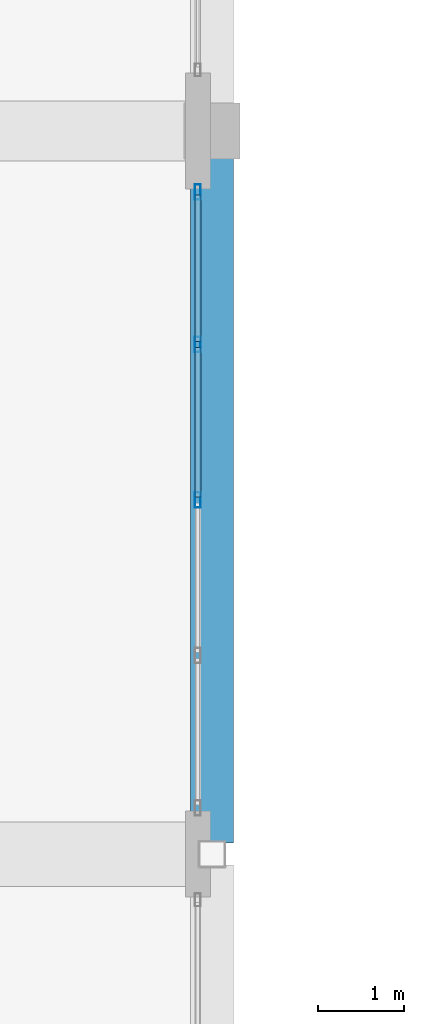
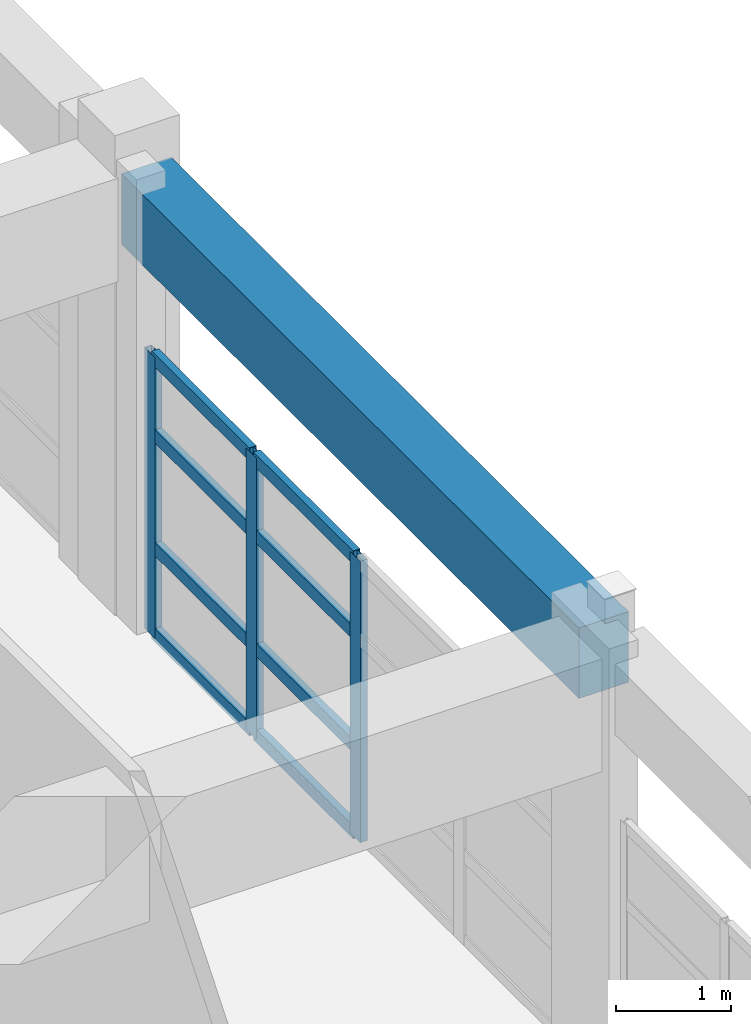
# One storey, part 16 of 78: 11 members, 1 beam, 1 element without a shape of its own.
"""IFC4 building model written with IfcOpenShell, lengths in metres."""

from ifc_helpers import new_model, si_unit, direction, frame, origin, origin_2d, place, context, subcontext, project, spatial, rectangle, hollow_rectangle, extrude, material, layer, layer_set, material_profile, profile_set, type_object, element, aggregate, save


model = new_model("IFC4")

# Units and contexts
model_context = context("Model", 3, precision=1e-05, world=origin(), true_north=direction((0.0, 1.0)))
body_context = subcontext(model_context, "Body", "Model", "MODEL_VIEW")
ifc_project = project(units=[si_unit("LENGTHUNIT", "METRE"), si_unit("AREAUNIT", "SQUARE_METRE"), si_unit("VOLUMEUNIT", "CUBIC_METRE"), si_unit("PLANEANGLEUNIT", "RADIAN"), si_unit("MASSUNIT", "GRAM", prefix="KILO")], contexts=[model_context])

# Site, building, storey
site_placement = place(None, origin())
site = spatial("IfcSite", under=ifc_project, at=site_placement, CompositionType="ELEMENT")
building_placement = place(site_placement, origin())
building = spatial("IfcBuilding", under=site, at=building_placement, Name="Quendrovan Civic Courthouse", CompositionType="ELEMENT")
storey_placement = place(building_placement, frame((0.0, 0.0, 20.39990234375)))
storey = spatial("IfcBuildingStorey", under=building, at=storey_placement, Name="L05", CompositionType="ELEMENT", Elevation=20.39990234375)

# Beam
ifc_material_1 = material(Name="Concrete C40/50", Category="concrete")
ifc_material_profile_1 = material_profile(ifc_material_1, rectangle(XDim=0.5, YDim=0.75, at=origin_2d()), Name="RC-BM-500x750")
ifc_profile_set_1 = profile_set([ifc_material_profile_1], Name="Concrete C40/50")
beam_type = type_object("IfcBeamType", Name="BM-RC750", PredefinedType="SPANDREL", material=ifc_profile_set_1)
beam_placement = place(storey_placement, frame((16.800048828125, 39.72998046875, 4.28515625), z_axis=(0.0, 1.0, 0.0), x_axis=(-1.0, 0.0, 0.0)))
element("IfcBeam", 1, at=beam_placement, inside=storey, type_object=beam_type, Name="L05 Girder Y1067", PredefinedType="SPANDREL", context=body_context, shape_type="SweptSolid", body=[
    extrude(rectangle(XDim=0.5, YDim=0.75, at=origin_2d()), origin(), (0.0, 0.0, 1.0), 7.965087890625),
])

# Curtain wall, members
ifc_material_2 = material(Name="Bronze anodised aluminium and low-E glass", Category="aluminium")
ifc_layer = layer(ifc_material_2, 0.179931640625, Name="Bronze anodised aluminium and low-E glass")
ifc_layer_set = layer_set([ifc_layer], Name="Bronze anodised aluminium and low-E glass")
curtain_wall_type = type_object("IfcCurtainWallType", Name="CW-U72x30", PredefinedType="USERDEFINED", material=ifc_layer_set)
curtain_wall_placement = place(storey_placement, origin())
curtain_wall = element("IfcCurtainWall", 2, at=curtain_wall_placement, inside=storey, type_object=curtain_wall_type, Name="L05 Unitised Hurricane Curtain Wall CW-186", ObjectType="UNITISED CURTAIN WALL", PredefinedType="USERDEFINED")
ifc_material_3 = material(Name="Bronze anodised aluminium", Category="aluminium")
ifc_material_profile_2 = material_profile(ifc_material_3, hollow_rectangle(XDim=0.070068359375, YDim=0.179931640625, WallThickness=0.00390625, at=origin_2d()), Name="CW-MULL-70x180")
ifc_profile_set_2 = profile_set([ifc_material_profile_2], Name="Bronze anodised aluminium")
member_type_1 = type_object("IfcMemberType", Name="CW-MULL-A", PredefinedType="MULLION", material=ifc_profile_set_2)
member_1_placement = place(storey_placement, frame((16.635009765625, 47.2900390625, 0.0), z_axis=(0.0, 0.0, 1.0), x_axis=(1.0, 0.0, 0.0)))
member_1 = element("IfcMember", 3, at=member_1_placement, type_object=member_type_1, Name="CW-186 mullion 1", PredefinedType="MULLION", context=body_context, shape_type="SweptSolid", body=[
    extrude(hollow_rectangle(XDim=0.070068359375, YDim=0.179931640625, WallThickness=0.00390625, at=origin_2d()), origin(), (0.0, 0.0, 1.0), 2.989990234375),
])
member_2_placement = place(storey_placement, frame((16.635009765625, 45.518798828125, 0.0), z_axis=(0.0, 0.0, 1.0), x_axis=(1.0, 0.0, 0.0)))
member_2 = element("IfcMember", 4, at=member_2_placement, type_object=member_type_1, Name="CW-186 mullion 2", PredefinedType="MULLION", context=body_context, shape_type="SweptSolid", body=[
    extrude(hollow_rectangle(XDim=0.070068359375, YDim=0.179931640625, WallThickness=0.00390625, at=origin_2d()), origin(), (0.0, 0.0, 1.0), 2.989990234375),
])
member_3_placement = place(storey_placement, frame((16.635009765625, 43.71240234375, 0.0), z_axis=(0.0, 0.0, 1.0), x_axis=(1.0, 0.0, 0.0)))
member_3 = element("IfcMember", 5, at=member_3_placement, type_object=member_type_1, Name="CW-186 mullion 3", PredefinedType="MULLION", context=body_context, shape_type="SweptSolid", body=[
    extrude(hollow_rectangle(XDim=0.070068359375, YDim=0.179931640625, WallThickness=0.00390625, at=origin_2d()), origin(), (0.0, 0.0, 1.0), 2.989990234375),
])
ifc_material_profile_3 = material_profile(ifc_material_3, hollow_rectangle(XDim=0.070068359375, YDim=0.139892578125, WallThickness=0.00390625, at=origin_2d()), Name="CW-TRAN-70x140")
ifc_profile_set_3 = profile_set([ifc_material_profile_3], Name="Bronze anodised aluminium")
member_type_2 = type_object("IfcMemberType", Name="CW-TRAN-A", PredefinedType="USERDEFINED", material=ifc_profile_set_3)
member_4_placement = place(storey_placement, frame((16.635009765625, 47.2548828125, 0.03515625), z_axis=(0.0, -1.0, 0.0), x_axis=(1.0, 0.0, 0.0)))
member_4 = element("IfcMember", 6, at=member_4_placement, type_object=member_type_2, Name="CW-186 transom 1.1", ObjectType="TRANSOM", PredefinedType="USERDEFINED", context=body_context, shape_type="SweptSolid", body=[
    extrude(hollow_rectangle(XDim=0.070068359375, YDim=0.139892578125, WallThickness=0.00390625, at=origin_2d()), origin(), (0.0, 0.0, 1.0), 1.701171875),
])
member_5_placement = place(storey_placement, frame((16.635009765625, 47.2548828125, 0.9501953125), z_axis=(0.0, -1.0, 0.0), x_axis=(1.0, 0.0, 0.0)))
member_5 = element("IfcMember", 7, at=member_5_placement, type_object=member_type_2, Name="CW-186 transom 1.2", ObjectType="TRANSOM", PredefinedType="USERDEFINED", context=body_context, shape_type="SweptSolid", body=[
    extrude(hollow_rectangle(XDim=0.070068359375, YDim=0.139892578125, WallThickness=0.00390625, at=origin_2d()), origin(), (0.0, 0.0, 1.0), 1.701171875),
])
member_6_placement = place(storey_placement, frame((16.635009765625, 47.2548828125, 2.150146484375), z_axis=(0.0, -1.0, 0.0), x_axis=(1.0, 0.0, 0.0)))
member_6 = element("IfcMember", 8, at=member_6_placement, type_object=member_type_2, Name="CW-186 transom 1.3", ObjectType="TRANSOM", PredefinedType="USERDEFINED", context=body_context, shape_type="SweptSolid", body=[
    extrude(hollow_rectangle(XDim=0.070068359375, YDim=0.139892578125, WallThickness=0.00390625, at=origin_2d()), origin(), (0.0, 0.0, 1.0), 1.701171875),
])
member_7_placement = place(storey_placement, frame((16.635009765625, 47.2548828125, 2.955078125), z_axis=(0.0, -1.0, 0.0), x_axis=(1.0, 0.0, 0.0)))
member_7 = element("IfcMember", 9, at=member_7_placement, type_object=member_type_2, Name="CW-186 transom 1.4", ObjectType="TRANSOM", PredefinedType="USERDEFINED", context=body_context, shape_type="SweptSolid", body=[
    extrude(hollow_rectangle(XDim=0.070068359375, YDim=0.139892578125, WallThickness=0.00390625, at=origin_2d()), origin(), (0.0, 0.0, 1.0), 1.701171875),
])
member_8_placement = place(storey_placement, frame((16.635009765625, 45.483642578125, 0.03515625), z_axis=(0.0, -1.0, 0.0), x_axis=(1.0, 0.0, 0.0)))
member_8 = element("IfcMember", 10, at=member_8_placement, type_object=member_type_2, Name="CW-186 transom 2.1", ObjectType="TRANSOM", PredefinedType="USERDEFINED", context=body_context, shape_type="SweptSolid", body=[
    extrude(hollow_rectangle(XDim=0.070068359375, YDim=0.139892578125, WallThickness=0.00390625, at=origin_2d()), origin(), (0.0, 0.0, 1.0), 1.736083984375),
])
member_9_placement = place(storey_placement, frame((16.635009765625, 45.483642578125, 0.9501953125), z_axis=(0.0, -1.0, 0.0), x_axis=(1.0, 0.0, 0.0)))
member_9 = element("IfcMember", 11, at=member_9_placement, type_object=member_type_2, Name="CW-186 transom 2.2", ObjectType="TRANSOM", PredefinedType="USERDEFINED", context=body_context, shape_type="SweptSolid", body=[
    extrude(hollow_rectangle(XDim=0.070068359375, YDim=0.139892578125, WallThickness=0.00390625, at=origin_2d()), origin(), (0.0, 0.0, 1.0), 1.736083984375),
])
member_10_placement = place(storey_placement, frame((16.635009765625, 45.483642578125, 2.150146484375), z_axis=(0.0, -1.0, 0.0), x_axis=(1.0, 0.0, 0.0)))
member_10 = element("IfcMember", 12, at=member_10_placement, type_object=member_type_2, Name="CW-186 transom 2.3", ObjectType="TRANSOM", PredefinedType="USERDEFINED", context=body_context, shape_type="SweptSolid", body=[
    extrude(hollow_rectangle(XDim=0.070068359375, YDim=0.139892578125, WallThickness=0.00390625, at=origin_2d()), origin(), (0.0, 0.0, 1.0), 1.736083984375),
])
member_11_placement = place(storey_placement, frame((16.635009765625, 45.483642578125, 2.955078125), z_axis=(0.0, -1.0, 0.0), x_axis=(1.0, 0.0, 0.0)))
member_11 = element("IfcMember", 13, at=member_11_placement, type_object=member_type_2, Name="CW-186 transom 2.4", ObjectType="TRANSOM", PredefinedType="USERDEFINED", context=body_context, shape_type="SweptSolid", body=[
    extrude(hollow_rectangle(XDim=0.070068359375, YDim=0.139892578125, WallThickness=0.00390625, at=origin_2d()), origin(), (0.0, 0.0, 1.0), 1.736083984375),
])
aggregate(curtain_wall, [member_1, member_2, member_3, member_4, member_5, member_6, member_7, member_8, member_9, member_10, member_11])

save(model, "model.ifc")
